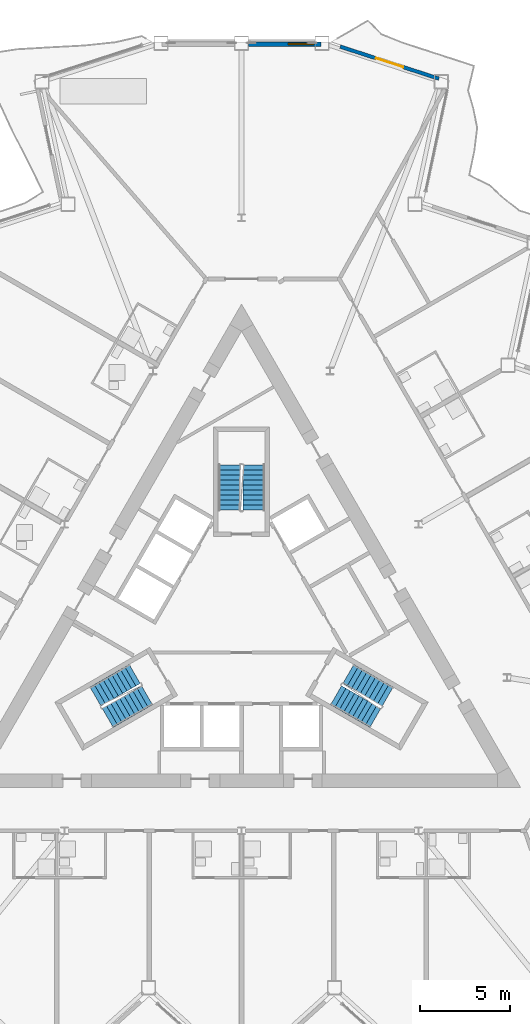
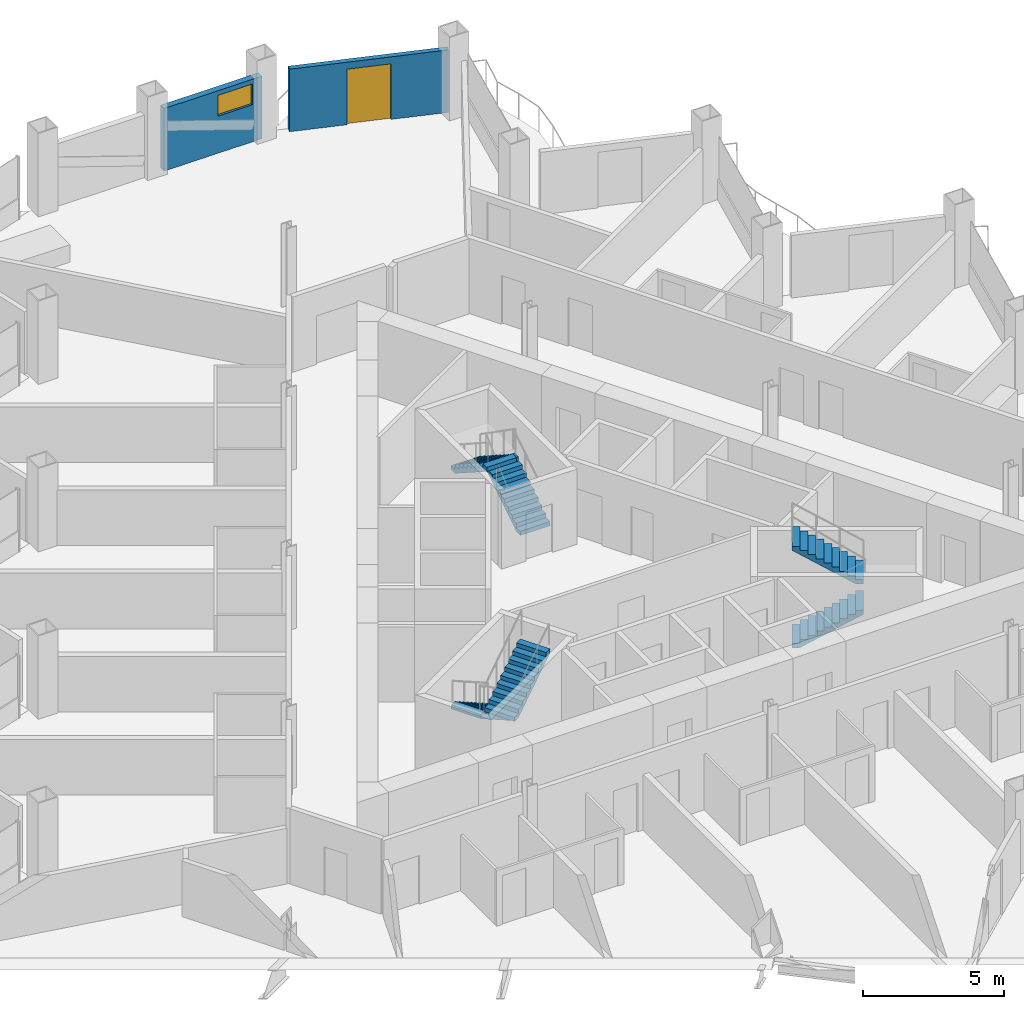
# One storey, part 15 of 23: 6 stair flights, 2 walls, 1 door, 1 window, 2 openings, 3 elements without a shape of their own.
"""IFC4 building model written with IfcOpenShell, lengths in metres."""

from ifc_helpers import new_model, si_unit, direction, frame, frame_2d, origin, place, context, subcontext, project, spatial, polyline, rectangle, outline, extrude, material, layer, layer_set, type_object, element, fill, aggregate, save


model = new_model("IFC4")

# Units and contexts
model_context = context("Model", 3, precision=1e-05, world=origin(), true_north=direction((0.0, 1.0)))
body_context = subcontext(model_context, "Body", "Model", "MODEL_VIEW")
ifc_project = project(units=[si_unit("LENGTHUNIT", "METRE"), si_unit("AREAUNIT", "SQUARE_METRE"), si_unit("VOLUMEUNIT", "CUBIC_METRE"), si_unit("PLANEANGLEUNIT", "RADIAN"), si_unit("MASSUNIT", "GRAM", prefix="KILO")], contexts=[model_context])

# Site, building, storey
site_placement = place(None, origin())
site = spatial("IfcSite", under=ifc_project, at=site_placement, CompositionType="ELEMENT")
building_placement = place(site_placement, origin())
building = spatial("IfcBuilding", under=site, at=building_placement, Name="Cormorant Prow Tower", CompositionType="ELEMENT")
storey_placement = place(building_placement, frame((0.0, 0.0, 187.199951171875)))
storey = spatial("IfcBuildingStorey", under=building, at=storey_placement, Name="L40", CompositionType="ELEMENT", Elevation=187.199951171875)

# Wall, opening, window
ifc_material_1 = material(Name="Terracotta", Category="masonry")
ifc_layer_1 = layer(ifc_material_1, 0.25)
ifc_layer_set_1 = layer_set([ifc_layer_1], Name="Terracotta")
wall_type_1 = type_object("IfcWallType", Name="Terracotta bay wall 250", PredefinedType="SOLIDWALL", material=ifc_layer_set_1)
wall_1_placement = place(storey_placement, frame((4.40380859375, 32.346923828125, 0.0), z_axis=(0.0, 0.0, 1.0), x_axis=(-1.0, 0.0, 0.0)))
wall_1 = element("IfcWall", 1, at=wall_1_placement, inside=storey, type_object=wall_type_1, Name="Terracotta bay wall N00", PredefinedType="SOLIDWALL", context=body_context, shape_type="SweptSolid", body=[
    extrude(rectangle(XDim=4.00390625, YDim=0.25, at=frame_2d((2.001953125, 0.0))), origin(), (0.0, 0.0, 1.0), 2.700927734375),
])
opening_1_placement = place(wall_1_placement, frame((0.39990234375, 0.0, 1.60009765625)))
opening_1 = element("IfcOpeningElement", 2, at=opening_1_placement, cuts=wall_1, Name="Opening WN5", PredefinedType="OPENING", context=body_context, shape_type="SweptSolid", body=[
    extrude(rectangle(XDim=1.39990234375, YDim=0.89990234375, at=frame_2d((0.699951171875, 0.449951171875))), frame((0.0, 0.135009765625, 0.0), z_axis=(0.0, -1.0, 0.0), x_axis=(1.0, 0.0, 0.0)), (0.0, 0.0, 1.0), 0.27001953125),
])
ifc_material_2 = material(Name="Aluminium 6063-T6", Category="aluminium")
window_type = type_object("IfcWindowType", Name="Corner bay window 1400x900", PartitioningType="SINGLE_PANEL", PredefinedType="WINDOW", material=ifc_material_2)
window_placement = place(opening_1_placement, origin())
window = element("IfcWindow", 3, at=window_placement, inside=storey, type_object=window_type, Name="Corner bay window N00", OverallHeight=0.89990234375, OverallWidth=1.39990234375, PartitioningType="SINGLE_PANEL", PredefinedType="WINDOW", context=body_context, shape_type="SweptSolid", body=[
    extrude(rectangle(XDim=1.39990234375, YDim=0.89990234375, at=frame_2d((0.699951171875, 0.449951171875))), frame((0.0, 0.030029296875, 0.0), z_axis=(0.0, -1.0, 0.0), x_axis=(1.0, 0.0, 0.0)), (0.0, 0.0, 1.0), 0.06005859375),
])
fill(opening_1, window)

# Wall, opening, door
ifc_material_3 = material(Name="Terracotta", Category="masonry")
ifc_layer_2 = layer(ifc_material_3, 0.199951171875)
ifc_layer_set_2 = layer_set([ifc_layer_2], Name="Terracotta")
wall_type_2 = type_object("IfcWallType", Name="Terracotta jamb wall 200", PredefinedType="SOLIDWALL", material=ifc_layer_set_2)
wall_2_placement = place(storey_placement, frame((10.962158203125, 30.42041015625, 0.0), z_axis=(0.0, 0.0, 1.0), x_axis=(-0.951062083689, 0.308999859173, 0.0)))
wall_2 = element("IfcWall", 4, at=wall_2_placement, inside=storey, type_object=wall_type_2, Name="Terracotta jamb wall ENE09", PredefinedType="SOLIDWALL", context=body_context, shape_type="SweptSolid", body=[
    extrude(rectangle(XDim=5.762939453125, YDim=0.199951171875, at=frame_2d((2.88134765625, 0.0))), origin(), (0.0, 0.0, 1.0), 2.700927734375),
])
opening_2_placement = place(wall_2_placement, frame((2.08154296875, 0.0, 0.0)))
opening_2 = element("IfcOpeningElement", 5, at=opening_2_placement, cuts=wall_2, Name="Opening ED40.10", PredefinedType="OPENING", context=body_context, shape_type="SweptSolid", body=[
    extrude(rectangle(XDim=1.60009765625, YDim=2.39990234375, at=frame_2d((0.800048828125, 1.199951171875))), frame((0.0, 0.10986328125, 0.0), z_axis=(0.0, -1.0, 0.0), x_axis=(1.0, 0.0, 0.0)), (0.0, 0.0, 1.0), 0.219970703125),
])
ifc_material_4 = material(Name="Aluminium 6063-T6", Category="aluminium")
door_type = type_object("IfcDoorType", Name="Balcony door 1600x2400", OperationType="DOUBLE_DOOR_SINGLE_SWING", PredefinedType="DOOR", material=ifc_material_4)
door_placement = place(opening_2_placement, origin())
door = element("IfcDoor", 6, at=door_placement, inside=storey, type_object=door_type, Name="Balcony door ENE09 ED40.10", OperationType="DOUBLE_DOOR_SINGLE_SWING", OverallHeight=2.39990234375, OverallWidth=1.60009765625, PredefinedType="DOOR", context=body_context, shape_type="SweptSolid", body=[
    extrude(rectangle(XDim=1.60009765625, YDim=2.39990234375, at=frame_2d((0.800048828125, 1.199951171875))), frame((0.0, 0.02490234375, 0.0), z_axis=(0.0, -1.0, 0.0), x_axis=(1.0, 0.0, 0.0)), (0.0, 0.0, 1.0), 0.050048828125),
])
fill(opening_2, door)

# Stair, stair flights
ifc_material_5 = material(Name="Exit stair 20 risers")
stair_type = type_object("IfcStairType", Name="Exit stair 20 risers", PredefinedType="HALF_TURN_STAIR", material=ifc_material_5)
stair_1_placement = place(storey_placement, origin())
stair_1 = element("IfcStair", 7, at=stair_1_placement, inside=storey, type_object=stair_type, Name="L40 Exit stair ST1", PredefinedType="HALF_TURN_STAIR")
ifc_material_6 = material(Name="Concrete 5000 psi", Category="concrete")
stair_flight_type = type_object("IfcStairFlightType", Name="Stair flight 1219", PredefinedType="STRAIGHT", material=ifc_material_6)
stair_flight_1_placement = place(storey_placement, frame((-5.93310546875, -2.635009765625, 0.0), z_axis=(0.0, 0.0, 1.0), x_axis=(-0.866025403784, -0.5, 0.0)))
stair_flight_1 = element("IfcStairFlight", 8, at=stair_flight_1_placement, type_object=stair_flight_type, Name="ST1 flight 1", NumberOfRisers=10, NumberOfTreads=9, PredefinedType="STRAIGHT", RiserHeight=0.18, TreadLength=0.28, context=body_context, shape_type="SweptSolid", body=[
    extrude(outline(polyline([(0.0, 0.0), (0.0, 0.179931640625), (0.280029296875, 0.179931640625), (0.280029296875, 0.360107421875), (0.56005859375, 0.360107421875), (0.56005859375, 0.5400390625), (0.840087890625, 0.5400390625), (0.840087890625, 0.719970703125), (1.1201171875, 0.719970703125), (1.1201171875, 0.89990234375), (1.39990234375, 0.89990234375), (1.39990234375, 1.080078125), (1.679931640625, 1.080078125), (1.679931640625, 1.260009765625), (1.9599609375, 1.260009765625), (1.9599609375, 1.43994140625), (2.239990234375, 1.43994140625), (2.239990234375, 1.6201171875), (2.52001953125, 1.6201171875), (2.52001953125, 1.800048828125), (2.52001953125, 1.44189453125), (0.277099609375, 0.0), (0.0, 0.0)])), frame((0.0, 0.609375, 0.0), z_axis=(0.0, -1.0, 0.0), x_axis=(1.0, 0.0, 0.0)), (0.0, 0.0, 1.0), 1.218994140625),
])
stair_flight_2_placement = place(storey_placement, frame((-7.43115234375, -5.080810546875, 1.800048828125), z_axis=(0.0, 0.0, 1.0), x_axis=(0.866025403784, 0.5, 0.0)))
stair_flight_2 = element("IfcStairFlight", 9, at=stair_flight_2_placement, type_object=stair_flight_type, Name="ST1 flight 2", NumberOfRisers=10, NumberOfTreads=9, PredefinedType="STRAIGHT", RiserHeight=0.18, TreadLength=0.28, context=body_context, shape_type="SweptSolid", body=[
    extrude(outline(polyline([(0.0, 0.0), (0.0, 0.179931640625), (0.280029296875, 0.179931640625), (0.280029296875, 0.360107421875), (0.56005859375, 0.360107421875), (0.56005859375, 0.5400390625), (0.840087890625, 0.5400390625), (0.840087890625, 0.719970703125), (1.1201171875, 0.719970703125), (1.1201171875, 0.89990234375), (1.39990234375, 0.89990234375), (1.39990234375, 1.080078125), (1.679931640625, 1.080078125), (1.679931640625, 1.260009765625), (1.9599609375, 1.260009765625), (1.9599609375, 1.43994140625), (2.239990234375, 1.43994140625), (2.239990234375, 1.6201171875), (2.52001953125, 1.6201171875), (2.52001953125, 1.800048828125), (2.52001953125, 1.44189453125), (0.277099609375, 0.0), (0.0, 0.0)])), frame((0.0, 0.609375, 0.0), z_axis=(0.0, -1.0, 0.0), x_axis=(1.0, 0.0, 0.0)), (0.0, 0.0, 1.0), 1.218994140625),
])
aggregate(stair_1, [stair_flight_1, stair_flight_2])

stair_2_placement = place(storey_placement, origin())
stair_2 = element("IfcStair", 10, at=stair_2_placement, inside=storey, type_object=stair_type, Name="L40 Exit stair ST2", PredefinedType="HALF_TURN_STAIR")
stair_flight_3_placement = place(storey_placement, frame((5.24853515625, -3.82080078125, 0.0), z_axis=(0.0, 0.0, 1.0), x_axis=(0.866025403784, -0.5, 0.0)))
stair_flight_3 = element("IfcStairFlight", 11, at=stair_flight_3_placement, type_object=stair_flight_type, Name="ST2 flight 1", NumberOfRisers=10, NumberOfTreads=9, PredefinedType="STRAIGHT", RiserHeight=0.18, TreadLength=0.28, context=body_context, shape_type="SweptSolid", body=[
    extrude(outline(polyline([(0.0, 0.0), (0.0, 0.179931640625), (0.280029296875, 0.179931640625), (0.280029296875, 0.360107421875), (0.56005859375, 0.360107421875), (0.56005859375, 0.5400390625), (0.840087890625, 0.5400390625), (0.840087890625, 0.719970703125), (1.1201171875, 0.719970703125), (1.1201171875, 0.89990234375), (1.39990234375, 0.89990234375), (1.39990234375, 1.080078125), (1.679931640625, 1.080078125), (1.679931640625, 1.260009765625), (1.9599609375, 1.260009765625), (1.9599609375, 1.43994140625), (2.239990234375, 1.43994140625), (2.239990234375, 1.6201171875), (2.52001953125, 1.6201171875), (2.52001953125, 1.800048828125), (2.52001953125, 1.44189453125), (0.277099609375, 0.0), (0.0, 0.0)])), frame((0.0, 0.609375, 0.0), z_axis=(0.0, -1.0, 0.0), x_axis=(1.0, 0.0, 0.0)), (0.0, 0.0, 1.0), 1.218994140625),
])
stair_flight_4_placement = place(storey_placement, frame((8.115478515625, -3.89501953125, 1.800048828125), z_axis=(0.0, 0.0, 1.0), x_axis=(-0.866025403784, 0.5, 0.0)))
stair_flight_4 = element("IfcStairFlight", 12, at=stair_flight_4_placement, type_object=stair_flight_type, Name="ST2 flight 2", NumberOfRisers=10, NumberOfTreads=9, PredefinedType="STRAIGHT", RiserHeight=0.18, TreadLength=0.28, context=body_context, shape_type="SweptSolid", body=[
    extrude(outline(polyline([(0.0, 0.0), (0.0, 0.179931640625), (0.280029296875, 0.179931640625), (0.280029296875, 0.360107421875), (0.56005859375, 0.360107421875), (0.56005859375, 0.5400390625), (0.840087890625, 0.5400390625), (0.840087890625, 0.719970703125), (1.1201171875, 0.719970703125), (1.1201171875, 0.89990234375), (1.39990234375, 0.89990234375), (1.39990234375, 1.080078125), (1.679931640625, 1.080078125), (1.679931640625, 1.260009765625), (1.9599609375, 1.260009765625), (1.9599609375, 1.43994140625), (2.239990234375, 1.43994140625), (2.239990234375, 1.6201171875), (2.52001953125, 1.6201171875), (2.52001953125, 1.800048828125), (2.52001953125, 1.44189453125), (0.277099609375, 0.0), (0.0, 0.0)])), frame((0.0, 0.609375, 0.0), z_axis=(0.0, -1.0, 0.0), x_axis=(1.0, 0.0, 0.0)), (0.0, 0.0, 1.0), 1.218994140625),
])
aggregate(stair_2, [stair_flight_3, stair_flight_4])

stair_3_placement = place(storey_placement, origin())
stair_3 = element("IfcStair", 13, at=stair_3_placement, inside=storey, type_object=stair_type, Name="L40 Exit stair ST3", PredefinedType="HALF_TURN_STAIR")
stair_flight_5_placement = place(storey_placement, frame((0.6845703125, 6.455810546875, 0.0), z_axis=(0.0, 0.0, 1.0), x_axis=(0.0, 1.0, 0.0)))
stair_flight_5 = element("IfcStairFlight", 14, at=stair_flight_5_placement, type_object=stair_flight_type, Name="ST3 flight 1", NumberOfRisers=10, NumberOfTreads=9, PredefinedType="STRAIGHT", RiserHeight=0.18, TreadLength=0.28, context=body_context, shape_type="SweptSolid", body=[
    extrude(outline(polyline([(0.0, 0.0), (0.0, 0.179931640625), (0.280029296875, 0.179931640625), (0.280029296875, 0.360107421875), (0.56005859375, 0.360107421875), (0.56005859375, 0.5400390625), (0.840087890625, 0.5400390625), (0.840087890625, 0.719970703125), (1.1201171875, 0.719970703125), (1.1201171875, 0.89990234375), (1.39990234375, 0.89990234375), (1.39990234375, 1.080078125), (1.679931640625, 1.080078125), (1.679931640625, 1.260009765625), (1.9599609375, 1.260009765625), (1.9599609375, 1.43994140625), (2.239990234375, 1.43994140625), (2.239990234375, 1.6201171875), (2.52001953125, 1.6201171875), (2.52001953125, 1.800048828125), (2.52001953125, 1.44189453125), (0.277099609375, 0.0), (0.0, 0.0)])), frame((0.0, 0.609375, 0.0), z_axis=(0.0, -1.0, 0.0), x_axis=(1.0, 0.0, 0.0)), (0.0, 0.0, 1.0), 1.218994140625),
])
stair_flight_6_placement = place(storey_placement, frame((-0.6845703125, 8.975830078125, 1.800048828125), z_axis=(0.0, 0.0, 1.0), x_axis=(0.0, -1.0, 0.0)))
stair_flight_6 = element("IfcStairFlight", 15, at=stair_flight_6_placement, type_object=stair_flight_type, Name="ST3 flight 2", NumberOfRisers=10, NumberOfTreads=9, PredefinedType="STRAIGHT", RiserHeight=0.18, TreadLength=0.28, context=body_context, shape_type="SweptSolid", body=[
    extrude(outline(polyline([(0.0, 0.0), (0.0, 0.179931640625), (0.280029296875, 0.179931640625), (0.280029296875, 0.360107421875), (0.56005859375, 0.360107421875), (0.56005859375, 0.5400390625), (0.840087890625, 0.5400390625), (0.840087890625, 0.719970703125), (1.1201171875, 0.719970703125), (1.1201171875, 0.89990234375), (1.39990234375, 0.89990234375), (1.39990234375, 1.080078125), (1.679931640625, 1.080078125), (1.679931640625, 1.260009765625), (1.9599609375, 1.260009765625), (1.9599609375, 1.43994140625), (2.239990234375, 1.43994140625), (2.239990234375, 1.6201171875), (2.52001953125, 1.6201171875), (2.52001953125, 1.800048828125), (2.52001953125, 1.44189453125), (0.277099609375, 0.0), (0.0, 0.0)])), frame((0.0, 0.609375, 0.0), z_axis=(0.0, -1.0, 0.0), x_axis=(1.0, 0.0, 0.0)), (0.0, 0.0, 1.0), 1.218994140625),
])
aggregate(stair_3, [stair_flight_5, stair_flight_6])

save(model, "model.ifc")
